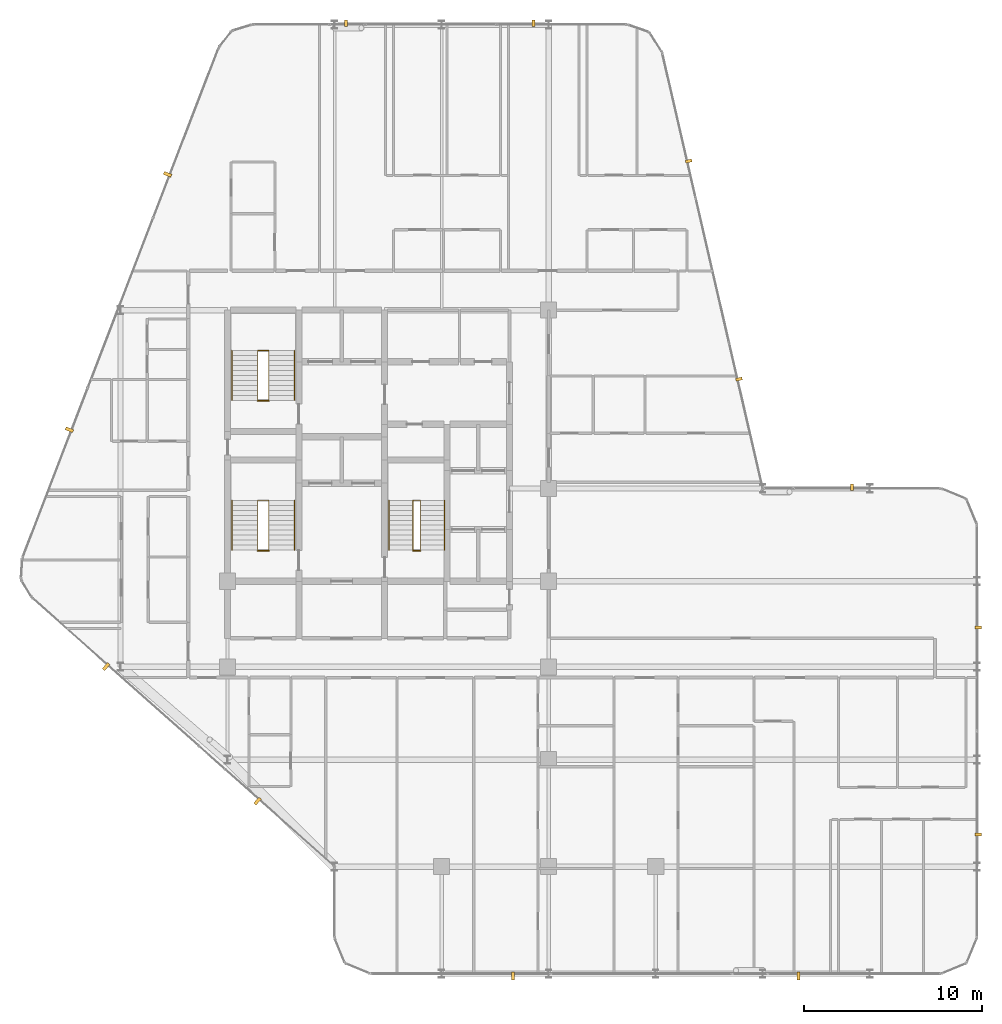
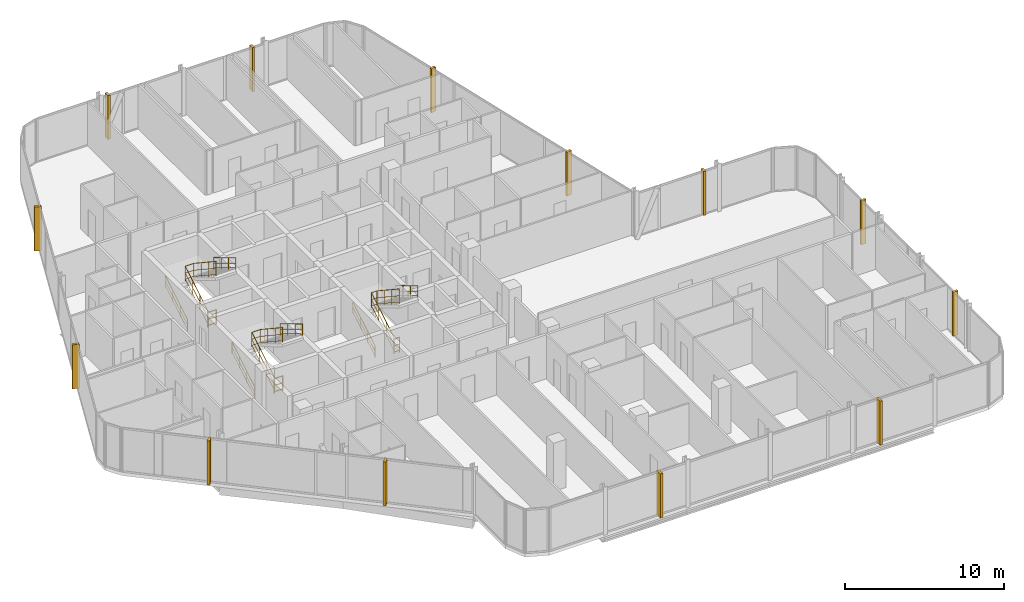
# One storey, part 29 of 29: 13 coverings, 12 railings.
"""IFC4 building model written with IfcOpenShell, lengths in metres."""

from ifc_helpers import new_model, si_unit, direction, frame, origin, origin_2d, place, context, subcontext, project, spatial, rectangle, circle, extrude, material, layer, layer_set, type_object, element, save


model = new_model("IFC4")

# Units and contexts
model_context = context("Model", 3, precision=1e-05, world=origin(), true_north=direction((0.0, 1.0)))
body_context = subcontext(model_context, "Body", "Model", "MODEL_VIEW")
ifc_project = project(units=[si_unit("LENGTHUNIT", "METRE"), si_unit("AREAUNIT", "SQUARE_METRE"), si_unit("VOLUMEUNIT", "CUBIC_METRE"), si_unit("PLANEANGLEUNIT", "RADIAN"), si_unit("MASSUNIT", "GRAM", prefix="KILO")], contexts=[model_context])

# Site, building, storey
site_placement = place(None, origin())
site = spatial("IfcSite", under=ifc_project, at=site_placement, CompositionType="ELEMENT")
building_placement = place(site_placement, origin())
building = spatial("IfcBuilding", under=site, at=building_placement, Name="Keshet Zoharim Tower", CompositionType="ELEMENT")
storey_placement = place(building_placement, frame((0.0, 0.0, 195.800048828125)))
storey = spatial("IfcBuildingStorey", under=building, at=storey_placement, Name="L48", CompositionType="ELEMENT", Elevation=195.800048828125)

# Coverings
ifc_material_1 = material(Name="Concrete C50/60 precast", Category="concrete")
covering_type_1 = type_object("IfcCoveringType", Name="FIN-SOL-360", PredefinedType="CLADDING", material=ifc_material_1)
for number, where, z_axis, x_axis, name in (
    (1, (57.080078125, 20.10009765625, 0.0), (0.0, 0.0, 1.0), (0.0, -1.0, 0.0), "L48 Vertical Precast Solar Fin 01"),
    (2, (57.080078125, 8.5, 0.0), (0.0, 0.0, 1.0), (0.0, -1.0, 0.0), "L48 Vertical Precast Solar Fin 02"),
    (3, (21.633056640625, 53.97998046875, 0.0), (0.0, 0.0, 1.0), (1.0, 0.0, 0.0), "L48 Vertical Precast Solar Fin 09"),
    (4, (32.14990234375, 53.97998046875, 0.0), (0.0, 0.0, 1.0), (1.0, 0.0, 0.0), "L48 Vertical Precast Solar Fin 10"),
    (5, (40.845947265625, 46.2548828125, 0.0), (0.0, 0.0, 1.0), (0.224847864369, -0.974393882313, 0.0), "L48 Vertical Precast Solar Fin 11"),
    (6, (43.6669921875, 34.030029296875, 0.0), (0.0, 0.0, 1.0), (0.224847864369, -0.974393882313, 0.0), "L48 Vertical Precast Solar Fin 12"),
    (7, (50.0, 27.97998046875, 0.0), (0.0, 0.0, 1.0), (1.0, 0.0, 0.0), "L48 Vertical Precast Solar Fin 13"),
):
    element("IfcCovering", number, at=place(storey_placement, frame(where, z_axis=z_axis, x_axis=x_axis)), inside=storey, type_object=covering_type_1, Name=name, PredefinedType="CLADDING", context=body_context, shape_type="SweptSolid", body=[
        extrude(rectangle(XDim=0.159912109375, YDim=0.360107421875, at=origin_2d()), origin(), (0.0, 0.0, 1.0), 3.389892578125),
    ])
covering_type_2 = type_object("IfcCoveringType", Name="FIN-SOL-450", PredefinedType="CLADDING", material=ifc_material_1)
for number, where, z_axis, x_axis, name in (
    (8, (47.0, 0.574951171875, 0.0), (0.0, 0.0, 1.0), (-1.0, 0.0, 0.0), "L48 Vertical Precast Solar Fin 03"),
    (9, (31.0, 0.574951171875, 0.0), (0.0, 0.0, 1.0), (-1.0, 0.0, 0.0), "L48 Vertical Precast Solar Fin 04"),
    (10, (16.676025390625, 10.376953125, 0.0), (0.0, 0.0, 1.0), (-0.747409318679, 0.664363838836, 0.0), "L48 Vertical Precast Solar Fin 05"),
    (11, (8.193115234375, 17.9169921875, 0.0), (0.0, 0.0, 1.0), (-0.747409318679, 0.664363838836, 0.0), "L48 Vertical Precast Solar Fin 06"),
    (12, (6.133056640625, 31.194091796875, 0.0), (0.0, 0.0, 1.0), (0.358990003907, 0.933341404361, 0.0), "L48 Vertical Precast Solar Fin 07"),
    (13, (11.637939453125, 45.507080078125, 0.0), (0.0, 0.0, 1.0), (0.358990003907, 0.933341404361, 0.0), "L48 Vertical Precast Solar Fin 08"),
):
    element("IfcCovering", number, at=place(storey_placement, frame(where, z_axis=z_axis, x_axis=x_axis)), inside=storey, type_object=covering_type_2, Name=name, PredefinedType="CLADDING", context=body_context, shape_type="SweptSolid", body=[
        extrude(rectangle(XDim=0.179931640625, YDim=0.449951171875, at=origin_2d()), origin(), (0.0, 0.0, 1.0), 3.389892578125),
    ])

# Railings
ifc_material_2 = material(Name="Steel S355", Category="steel")
ifc_layer_1 = layer(ifc_material_2, 0.050048828125)
ifc_layer_set_1 = layer_set([ifc_layer_1], Name="Steel S355")
railing_type_1 = type_object("IfcRailingType", Name="RL-HND-092", PredefinedType="HANDRAIL", material=ifc_layer_set_1)
railing_1_placement = place(storey_placement, frame((15.239990234375, 24.43994140625, 0.168212890625)))
element("IfcRailing", 14, at=railing_1_placement, inside=storey, type_object=railing_type_1, Name="L48 ST-01 Flight 1 Wall Handrail", PredefinedType="HANDRAIL", context=body_context, shape_type="SweptSolid", body=[
    extrude(circle(Radius=0.02392578125, at=origin_2d()), frame((0.0, 0.0, 0.89599609375), z_axis=(0.0, 0.857275202839, 0.514858452973), x_axis=(-1.0, 0.0, 0.0)), (0.0, 0.0, 1.0), 3.26611328125),
    extrude(circle(Radius=0.01611328125, at=origin_2d()), frame((0.0, 0.0, 0.478271484375), z_axis=(0.0, 0.857275202839, 0.514858452973), x_axis=(-1.0, 0.0, 0.0)), (0.0, 0.0, 1.0), 3.26611328125),
    extrude(circle(Radius=0.01611328125, at=origin_2d()), frame((0.0, 0.0, 0.1201171875), z_axis=(0.0, 0.857275202839, 0.514858452973), x_axis=(-1.0, 0.0, 0.0)), (0.0, 0.0, 1.0), 3.26611328125),
    extrude(circle(Radius=0.02099609375, at=origin_2d()), origin(), (0.0, 0.0, 1.0), 0.871826171875),
    extrude(circle(Radius=0.02099609375, at=origin_2d()), frame((0.0, 0.933349609375, 0.560546875)), (0.0, 0.0, 1.0), 0.871826171875),
    extrude(circle(Radius=0.02099609375, at=origin_2d()), frame((0.0, 1.86669921875, 1.12109375)), (0.0, 0.0, 1.0), 0.871826171875),
    extrude(circle(Radius=0.02099609375, at=origin_2d()), frame((0.0, 2.800048828125, 1.681640625)), (0.0, 0.0, 1.0), 0.871826171875),
])
railing_2_placement = place(storey_placement, frame((18.760009765625, 27.239990234375, 2.01806640625)))
element("IfcRailing", 15, at=railing_2_placement, inside=storey, type_object=railing_type_1, Name="L48 ST-01 Flight 2 Wall Handrail", PredefinedType="HANDRAIL", context=body_context, shape_type="SweptSolid", body=[
    extrude(circle(Radius=0.02392578125, at=origin_2d()), frame((0.0, 0.0, 0.89599609375), z_axis=(0.0, -0.857242210791, 0.514913383045), x_axis=(1.0, 0.0, 0.0)), (0.0, 0.0, 1.0), 3.266357421875),
    extrude(circle(Radius=0.01611328125, at=origin_2d()), frame((0.0, 0.0, 0.478271484375), z_axis=(0.0, -0.857242210791, 0.514913383045), x_axis=(1.0, 0.0, 0.0)), (0.0, 0.0, 1.0), 3.266357421875),
    extrude(circle(Radius=0.01611328125, at=origin_2d()), frame((0.0, 0.0, 0.1201171875), z_axis=(0.0, -0.857242210791, 0.514913383045), x_axis=(1.0, 0.0, 0.0)), (0.0, 0.0, 1.0), 3.266357421875),
    extrude(circle(Radius=0.02099609375, at=origin_2d()), origin(), (0.0, 0.0, 1.0), 0.871826171875),
    extrude(circle(Radius=0.02099609375, at=origin_2d()), frame((0.0, -0.933349609375, 0.560546875)), (0.0, 0.0, 1.0), 0.871826171875),
    extrude(circle(Radius=0.02099609375, at=origin_2d()), frame((0.0, -1.86669921875, 1.121337890625)), (0.0, 0.0, 1.0), 0.871826171875),
    extrude(circle(Radius=0.02099609375, at=origin_2d()), frame((0.0, -2.800048828125, 1.681884765625)), (0.0, 0.0, 1.0), 0.871826171875),
])
railing_3_placement = place(storey_placement, frame((15.239990234375, 32.840087890625, 0.168212890625)))
element("IfcRailing", 16, at=railing_3_placement, inside=storey, type_object=railing_type_1, Name="L48 ST-02 Flight 1 Wall Handrail", PredefinedType="HANDRAIL", context=body_context, shape_type="SweptSolid", body=[
    extrude(circle(Radius=0.02392578125, at=origin_2d()), frame((0.0, 0.0, 0.89599609375), z_axis=(0.0, 0.857255387014, 0.514891446264), x_axis=(-1.0, 0.0, 0.0)), (0.0, 0.0, 1.0), 3.26611328125),
    extrude(circle(Radius=0.01611328125, at=origin_2d()), frame((0.0, 0.0, 0.478271484375), z_axis=(0.0, 0.857255387014, 0.514891446264), x_axis=(-1.0, 0.0, 0.0)), (0.0, 0.0, 1.0), 3.26611328125),
    extrude(circle(Radius=0.01611328125, at=origin_2d()), frame((0.0, 0.0, 0.1201171875), z_axis=(0.0, 0.857255387014, 0.514891446264), x_axis=(-1.0, 0.0, 0.0)), (0.0, 0.0, 1.0), 3.26611328125),
    extrude(circle(Radius=0.02099609375, at=origin_2d()), origin(), (0.0, 0.0, 1.0), 0.871826171875),
    extrude(circle(Radius=0.02099609375, at=origin_2d()), frame((0.0, 0.933349609375, 0.560546875)), (0.0, 0.0, 1.0), 0.871826171875),
    extrude(circle(Radius=0.02099609375, at=origin_2d()), frame((0.0, 1.866455078125, 1.12109375)), (0.0, 0.0, 1.0), 0.871826171875),
    extrude(circle(Radius=0.02099609375, at=origin_2d()), frame((0.0, 2.7998046875, 1.681640625)), (0.0, 0.0, 1.0), 0.871826171875),
])
railing_4_placement = place(storey_placement, frame((18.760009765625, 35.639892578125, 2.01806640625)))
element("IfcRailing", 17, at=railing_4_placement, inside=storey, type_object=railing_type_1, Name="L48 ST-02 Flight 2 Wall Handrail", PredefinedType="HANDRAIL", context=body_context, shape_type="SweptSolid", body=[
    extrude(circle(Radius=0.02392578125, at=origin_2d()), frame((0.0, 0.0, 0.89599609375), z_axis=(0.0, -0.857222391501, 0.514946377315), x_axis=(1.0, 0.0, 0.0)), (0.0, 0.0, 1.0), 3.26611328125),
    extrude(circle(Radius=0.01611328125, at=origin_2d()), frame((0.0, 0.0, 0.478271484375), z_axis=(0.0, -0.857222391501, 0.514946377315), x_axis=(1.0, 0.0, 0.0)), (0.0, 0.0, 1.0), 3.26611328125),
    extrude(circle(Radius=0.01611328125, at=origin_2d()), frame((0.0, 0.0, 0.1201171875), z_axis=(0.0, -0.857222391501, 0.514946377315), x_axis=(1.0, 0.0, 0.0)), (0.0, 0.0, 1.0), 3.26611328125),
    extrude(circle(Radius=0.02099609375, at=origin_2d()), origin(), (0.0, 0.0, 1.0), 0.871826171875),
    extrude(circle(Radius=0.02099609375, at=origin_2d()), frame((0.0, -0.933349609375, 0.560546875)), (0.0, 0.0, 1.0), 0.871826171875),
    extrude(circle(Radius=0.02099609375, at=origin_2d()), frame((0.0, -1.866455078125, 1.121337890625)), (0.0, 0.0, 1.0), 0.871826171875),
    extrude(circle(Radius=0.02099609375, at=origin_2d()), frame((0.0, -2.7998046875, 1.681884765625)), (0.0, 0.0, 1.0), 0.871826171875),
])
railing_5_placement = place(storey_placement, frame((24.0400390625, 24.43994140625, 0.168212890625)))
element("IfcRailing", 18, at=railing_5_placement, inside=storey, type_object=railing_type_1, Name="L48 ST-03 Flight 1 Wall Handrail", PredefinedType="HANDRAIL", context=body_context, shape_type="SweptSolid", body=[
    extrude(circle(Radius=0.02392578125, at=origin_2d()), frame((0.0, 0.0, 0.89599609375), z_axis=(0.0, 0.857275202839, 0.514858452973), x_axis=(-1.0, 0.0, 0.0)), (0.0, 0.0, 1.0), 3.26611328125),
    extrude(circle(Radius=0.01611328125, at=origin_2d()), frame((0.0, 0.0, 0.478271484375), z_axis=(0.0, 0.857275202839, 0.514858452973), x_axis=(-1.0, 0.0, 0.0)), (0.0, 0.0, 1.0), 3.26611328125),
    extrude(circle(Radius=0.01611328125, at=origin_2d()), frame((0.0, 0.0, 0.1201171875), z_axis=(0.0, 0.857275202839, 0.514858452973), x_axis=(-1.0, 0.0, 0.0)), (0.0, 0.0, 1.0), 3.26611328125),
    extrude(circle(Radius=0.02099609375, at=origin_2d()), origin(), (0.0, 0.0, 1.0), 0.871826171875),
    extrude(circle(Radius=0.02099609375, at=origin_2d()), frame((0.0, 0.933349609375, 0.560546875)), (0.0, 0.0, 1.0), 0.871826171875),
    extrude(circle(Radius=0.02099609375, at=origin_2d()), frame((0.0, 1.86669921875, 1.12109375)), (0.0, 0.0, 1.0), 0.871826171875),
    extrude(circle(Radius=0.02099609375, at=origin_2d()), frame((0.0, 2.800048828125, 1.681640625)), (0.0, 0.0, 1.0), 0.871826171875),
])
railing_6_placement = place(storey_placement, frame((27.159912109375, 27.239990234375, 2.01806640625)))
element("IfcRailing", 19, at=railing_6_placement, inside=storey, type_object=railing_type_1, Name="L48 ST-03 Flight 2 Wall Handrail", PredefinedType="HANDRAIL", context=body_context, shape_type="SweptSolid", body=[
    extrude(circle(Radius=0.02392578125, at=origin_2d()), frame((0.0, 0.0, 0.89599609375), z_axis=(0.0, -0.857242210791, 0.514913383045), x_axis=(1.0, 0.0, 0.0)), (0.0, 0.0, 1.0), 3.266357421875),
    extrude(circle(Radius=0.01611328125, at=origin_2d()), frame((0.0, 0.0, 0.478271484375), z_axis=(0.0, -0.857242210791, 0.514913383045), x_axis=(1.0, 0.0, 0.0)), (0.0, 0.0, 1.0), 3.266357421875),
    extrude(circle(Radius=0.01611328125, at=origin_2d()), frame((0.0, 0.0, 0.1201171875), z_axis=(0.0, -0.857242210791, 0.514913383045), x_axis=(1.0, 0.0, 0.0)), (0.0, 0.0, 1.0), 3.266357421875),
    extrude(circle(Radius=0.02099609375, at=origin_2d()), origin(), (0.0, 0.0, 1.0), 0.871826171875),
    extrude(circle(Radius=0.02099609375, at=origin_2d()), frame((0.0, -0.933349609375, 0.560546875)), (0.0, 0.0, 1.0), 0.871826171875),
    extrude(circle(Radius=0.02099609375, at=origin_2d()), frame((0.0, -1.86669921875, 1.121337890625)), (0.0, 0.0, 1.0), 0.871826171875),
    extrude(circle(Radius=0.02099609375, at=origin_2d()), frame((0.0, -2.800048828125, 1.681884765625)), (0.0, 0.0, 1.0), 0.871826171875),
])
ifc_layer_2 = layer(ifc_material_2, 0.06005859375)
ifc_layer_set_2 = layer_set([ifc_layer_2], Name="Steel S355")
railing_type_2 = type_object("IfcRailingType", Name="RL-STG-115", PredefinedType="GUARDRAIL", material=ifc_layer_set_2)
railing_7_placement = place(storey_placement, frame((16.68994140625, 24.43994140625, 0.168212890625)))
element("IfcRailing", 20, at=railing_7_placement, inside=storey, type_object=railing_type_2, Name="L48 ST-01 Inner Well Guardrail", PredefinedType="GUARDRAIL", context=body_context, shape_type="SweptSolid", body=[
    extrude(circle(Radius=0.02392578125, at=origin_2d()), frame((0.0, 0.0, 1.1259765625), z_axis=(0.0, 0.857275202839, 0.514858452973), x_axis=(-1.0, 0.0, 0.0)), (0.0, 0.0, 1.0), 3.26611328125),
    extrude(circle(Radius=0.01611328125, at=origin_2d()), frame((0.0, 0.0, 0.597900390625), z_axis=(0.0, 0.857275202839, 0.514858452973), x_axis=(-1.0, 0.0, 0.0)), (0.0, 0.0, 1.0), 3.26611328125),
    extrude(circle(Radius=0.01611328125, at=origin_2d()), frame((0.0, 0.0, 0.1201171875), z_axis=(0.0, 0.857275202839, 0.514858452973), x_axis=(-1.0, 0.0, 0.0)), (0.0, 0.0, 1.0), 3.26611328125),
    extrude(circle(Radius=0.02392578125, at=origin_2d()), frame((0.0, 2.800048828125, 2.8076171875), z_axis=(1.0, 0.0, 0.0), x_axis=(0.0, 1.0, 0.0)), (0.0, 0.0, 1.0), 0.6201171875),
    extrude(circle(Radius=0.01611328125, at=origin_2d()), frame((0.0, 2.800048828125, 2.279541015625), z_axis=(1.0, 0.0, 0.0), x_axis=(0.0, 1.0, 0.0)), (0.0, 0.0, 1.0), 0.6201171875),
    extrude(circle(Radius=0.01611328125, at=origin_2d()), frame((0.0, 2.800048828125, 1.8017578125), z_axis=(1.0, 0.0, 0.0), x_axis=(0.0, 1.0, 0.0)), (0.0, 0.0, 1.0), 0.6201171875),
    extrude(circle(Radius=0.02392578125, at=origin_2d()), frame((0.6201171875, 2.800048828125, 2.8076171875), z_axis=(0.0, -0.834326358476, 0.551270829586), x_axis=(1.0, 0.0, 0.0)), (0.0, 0.0, 1.0), 3.35595703125),
    extrude(circle(Radius=0.01611328125, at=origin_2d()), frame((0.6201171875, 2.800048828125, 2.279541015625), z_axis=(0.0, -0.834326358476, 0.551270829586), x_axis=(1.0, 0.0, 0.0)), (0.0, 0.0, 1.0), 3.35595703125),
    extrude(circle(Radius=0.01611328125, at=origin_2d()), frame((0.6201171875, 2.800048828125, 1.8017578125), z_axis=(0.0, -0.834326358476, 0.551270829586), x_axis=(1.0, 0.0, 0.0)), (0.0, 0.0, 1.0), 3.35595703125),
    extrude(circle(Radius=0.02099609375, at=origin_2d()), origin(), (0.0, 0.0, 1.0), 1.101806640625),
    extrude(circle(Radius=0.02099609375, at=origin_2d()), frame((0.0, 0.933349609375, 0.560546875)), (0.0, 0.0, 1.0), 1.101806640625),
    extrude(circle(Radius=0.02099609375, at=origin_2d()), frame((0.0, 1.86669921875, 1.12109375)), (0.0, 0.0, 1.0), 1.101806640625),
    extrude(circle(Radius=0.02099609375, at=origin_2d()), frame((0.0, 2.800048828125, 1.681640625)), (0.0, 0.0, 1.0), 1.101806640625),
    extrude(circle(Radius=0.02099609375, at=origin_2d()), frame((0.6201171875, 2.800048828125, 1.681640625)), (0.0, 0.0, 1.0), 1.101806640625),
    extrude(circle(Radius=0.02099609375, at=origin_2d()), frame((0.6201171875, 1.86669921875, 2.29833984375)), (0.0, 0.0, 1.0), 1.101806640625),
    extrude(circle(Radius=0.02099609375, at=origin_2d()), frame((0.6201171875, 0.933349609375, 2.9150390625)), (0.0, 0.0, 1.0), 1.101806640625),
    extrude(circle(Radius=0.02099609375, at=origin_2d()), frame((0.6201171875, 0.0, 3.53173828125)), (0.0, 0.0, 1.0), 1.101806640625),
])
railing_8_placement = place(storey_placement, frame((16.68994140625, 24.409912109375, 0.0)))
element("IfcRailing", 21, at=railing_8_placement, inside=storey, type_object=railing_type_2, Name="L48 ST-01 Stairwell Floor Guardrail", PredefinedType="GUARDRAIL", context=body_context, shape_type="SweptSolid", body=[
    extrude(circle(Radius=0.02392578125, at=origin_2d()), frame((0.0, 0.0, 1.1259765625), z_axis=(1.0, 0.0, 0.0), x_axis=(0.0, 1.0, 0.0)), (0.0, 0.0, 1.0), 0.6201171875),
    extrude(circle(Radius=0.01611328125, at=origin_2d()), frame((0.0, 0.0, 0.597900390625), z_axis=(1.0, 0.0, 0.0), x_axis=(0.0, 1.0, 0.0)), (0.0, 0.0, 1.0), 0.6201171875),
    extrude(circle(Radius=0.01611328125, at=origin_2d()), frame((0.0, 0.0, 0.1201171875), z_axis=(1.0, 0.0, 0.0), x_axis=(0.0, 1.0, 0.0)), (0.0, 0.0, 1.0), 0.6201171875),
    extrude(circle(Radius=0.02099609375, at=origin_2d()), origin(), (0.0, 0.0, 1.0), 1.101806640625),
    extrude(circle(Radius=0.02099609375, at=origin_2d()), frame((0.6201171875, 0.0, 0.0)), (0.0, 0.0, 1.0), 1.101806640625),
])
railing_9_placement = place(storey_placement, frame((16.68994140625, 32.840087890625, 0.168212890625)))
element("IfcRailing", 22, at=railing_9_placement, inside=storey, type_object=railing_type_2, Name="L48 ST-02 Inner Well Guardrail", PredefinedType="GUARDRAIL", context=body_context, shape_type="SweptSolid", body=[
    extrude(circle(Radius=0.02392578125, at=origin_2d()), frame((0.0, 0.0, 1.1259765625), z_axis=(0.0, 0.857255387014, 0.514891446264), x_axis=(-1.0, 0.0, 0.0)), (0.0, 0.0, 1.0), 3.26611328125),
    extrude(circle(Radius=0.01611328125, at=origin_2d()), frame((0.0, 0.0, 0.597900390625), z_axis=(0.0, 0.857255387014, 0.514891446264), x_axis=(-1.0, 0.0, 0.0)), (0.0, 0.0, 1.0), 3.26611328125),
    extrude(circle(Radius=0.01611328125, at=origin_2d()), frame((0.0, 0.0, 0.1201171875), z_axis=(0.0, 0.857255387014, 0.514891446264), x_axis=(-1.0, 0.0, 0.0)), (0.0, 0.0, 1.0), 3.26611328125),
    extrude(circle(Radius=0.02392578125, at=origin_2d()), frame((0.0, 2.7998046875, 2.8076171875), z_axis=(1.0, 0.0, 0.0), x_axis=(0.0, 1.0, 0.0)), (0.0, 0.0, 1.0), 0.6201171875),
    extrude(circle(Radius=0.01611328125, at=origin_2d()), frame((0.0, 2.7998046875, 2.279541015625), z_axis=(1.0, 0.0, 0.0), x_axis=(0.0, 1.0, 0.0)), (0.0, 0.0, 1.0), 0.6201171875),
    extrude(circle(Radius=0.01611328125, at=origin_2d()), frame((0.0, 2.7998046875, 1.8017578125), z_axis=(1.0, 0.0, 0.0), x_axis=(0.0, 1.0, 0.0)), (0.0, 0.0, 1.0), 0.6201171875),
    extrude(circle(Radius=0.02392578125, at=origin_2d()), frame((0.6201171875, 2.7998046875, 2.8076171875), z_axis=(0.0, -0.834304248922, 0.551304290053), x_axis=(1.0, 0.0, 0.0)), (0.0, 0.0, 1.0), 3.35595703125),
    extrude(circle(Radius=0.01611328125, at=origin_2d()), frame((0.6201171875, 2.7998046875, 2.279541015625), z_axis=(0.0, -0.834304248922, 0.551304290053), x_axis=(1.0, 0.0, 0.0)), (0.0, 0.0, 1.0), 3.35595703125),
    extrude(circle(Radius=0.01611328125, at=origin_2d()), frame((0.6201171875, 2.7998046875, 1.8017578125), z_axis=(0.0, -0.834304248922, 0.551304290053), x_axis=(1.0, 0.0, 0.0)), (0.0, 0.0, 1.0), 3.35595703125),
    extrude(circle(Radius=0.02099609375, at=origin_2d()), origin(), (0.0, 0.0, 1.0), 1.101806640625),
    extrude(circle(Radius=0.02099609375, at=origin_2d()), frame((0.0, 0.933349609375, 0.560546875)), (0.0, 0.0, 1.0), 1.101806640625),
    extrude(circle(Radius=0.02099609375, at=origin_2d()), frame((0.0, 1.866455078125, 1.12109375)), (0.0, 0.0, 1.0), 1.101806640625),
    extrude(circle(Radius=0.02099609375, at=origin_2d()), frame((0.0, 2.7998046875, 1.681640625)), (0.0, 0.0, 1.0), 1.101806640625),
    extrude(circle(Radius=0.02099609375, at=origin_2d()), frame((0.6201171875, 2.7998046875, 1.681640625)), (0.0, 0.0, 1.0), 1.101806640625),
    extrude(circle(Radius=0.02099609375, at=origin_2d()), frame((0.6201171875, 1.866455078125, 2.29833984375)), (0.0, 0.0, 1.0), 1.101806640625),
    extrude(circle(Radius=0.02099609375, at=origin_2d()), frame((0.6201171875, 0.933349609375, 2.9150390625)), (0.0, 0.0, 1.0), 1.101806640625),
    extrude(circle(Radius=0.02099609375, at=origin_2d()), frame((0.6201171875, 0.0, 3.53173828125)), (0.0, 0.0, 1.0), 1.101806640625),
])
railing_10_placement = place(storey_placement, frame((16.68994140625, 32.81005859375, 0.0)))
element("IfcRailing", 23, at=railing_10_placement, inside=storey, type_object=railing_type_2, Name="L48 ST-02 Stairwell Floor Guardrail", PredefinedType="GUARDRAIL", context=body_context, shape_type="SweptSolid", body=[
    extrude(circle(Radius=0.02392578125, at=origin_2d()), frame((0.0, 0.0, 1.1259765625), z_axis=(1.0, 0.0, 0.0), x_axis=(0.0, 1.0, 0.0)), (0.0, 0.0, 1.0), 0.6201171875),
    extrude(circle(Radius=0.01611328125, at=origin_2d()), frame((0.0, 0.0, 0.597900390625), z_axis=(1.0, 0.0, 0.0), x_axis=(0.0, 1.0, 0.0)), (0.0, 0.0, 1.0), 0.6201171875),
    extrude(circle(Radius=0.01611328125, at=origin_2d()), frame((0.0, 0.0, 0.1201171875), z_axis=(1.0, 0.0, 0.0), x_axis=(0.0, 1.0, 0.0)), (0.0, 0.0, 1.0), 0.6201171875),
    extrude(circle(Radius=0.02099609375, at=origin_2d()), origin(), (0.0, 0.0, 1.0), 1.101806640625),
    extrude(circle(Radius=0.02099609375, at=origin_2d()), frame((0.6201171875, 0.0, 0.0)), (0.0, 0.0, 1.0), 1.101806640625),
])
railing_11_placement = place(storey_placement, frame((25.39990234375, 24.43994140625, 0.168212890625)))
element("IfcRailing", 24, at=railing_11_placement, inside=storey, type_object=railing_type_2, Name="L48 ST-03 Inner Well Guardrail", PredefinedType="GUARDRAIL", context=body_context, shape_type="SweptSolid", body=[
    extrude(circle(Radius=0.02392578125, at=origin_2d()), frame((0.0, 0.0, 1.1259765625), z_axis=(0.0, 0.857275202839, 0.514858452973), x_axis=(-1.0, 0.0, 0.0)), (0.0, 0.0, 1.0), 3.26611328125),
    extrude(circle(Radius=0.01611328125, at=origin_2d()), frame((0.0, 0.0, 0.597900390625), z_axis=(0.0, 0.857275202839, 0.514858452973), x_axis=(-1.0, 0.0, 0.0)), (0.0, 0.0, 1.0), 3.26611328125),
    extrude(circle(Radius=0.01611328125, at=origin_2d()), frame((0.0, 0.0, 0.1201171875), z_axis=(0.0, 0.857275202839, 0.514858452973), x_axis=(-1.0, 0.0, 0.0)), (0.0, 0.0, 1.0), 3.26611328125),
    extrude(circle(Radius=0.02392578125, at=origin_2d()), frame((0.0, 2.800048828125, 2.8076171875), z_axis=(1.0, 0.0, 0.0), x_axis=(0.0, 1.0, 0.0)), (0.0, 0.0, 1.0), 0.400146484375),
    extrude(circle(Radius=0.01611328125, at=origin_2d()), frame((0.0, 2.800048828125, 2.279541015625), z_axis=(1.0, 0.0, 0.0), x_axis=(0.0, 1.0, 0.0)), (0.0, 0.0, 1.0), 0.400146484375),
    extrude(circle(Radius=0.01611328125, at=origin_2d()), frame((0.0, 2.800048828125, 1.8017578125), z_axis=(1.0, 0.0, 0.0), x_axis=(0.0, 1.0, 0.0)), (0.0, 0.0, 1.0), 0.400146484375),
    extrude(circle(Radius=0.02392578125, at=origin_2d()), frame((0.400146484375, 2.800048828125, 2.8076171875), z_axis=(0.0, -0.834326358476, 0.551270829586), x_axis=(1.0, 0.0, 0.0)), (0.0, 0.0, 1.0), 3.35595703125),
    extrude(circle(Radius=0.01611328125, at=origin_2d()), frame((0.400146484375, 2.800048828125, 2.279541015625), z_axis=(0.0, -0.834326358476, 0.551270829586), x_axis=(1.0, 0.0, 0.0)), (0.0, 0.0, 1.0), 3.35595703125),
    extrude(circle(Radius=0.01611328125, at=origin_2d()), frame((0.400146484375, 2.800048828125, 1.8017578125), z_axis=(0.0, -0.834326358476, 0.551270829586), x_axis=(1.0, 0.0, 0.0)), (0.0, 0.0, 1.0), 3.35595703125),
    extrude(circle(Radius=0.02099609375, at=origin_2d()), origin(), (0.0, 0.0, 1.0), 1.101806640625),
    extrude(circle(Radius=0.02099609375, at=origin_2d()), frame((0.0, 0.933349609375, 0.560546875)), (0.0, 0.0, 1.0), 1.101806640625),
    extrude(circle(Radius=0.02099609375, at=origin_2d()), frame((0.0, 1.86669921875, 1.12109375)), (0.0, 0.0, 1.0), 1.101806640625),
    extrude(circle(Radius=0.02099609375, at=origin_2d()), frame((0.0, 2.800048828125, 1.681640625)), (0.0, 0.0, 1.0), 1.101806640625),
    extrude(circle(Radius=0.02099609375, at=origin_2d()), frame((0.400146484375, 2.800048828125, 1.681640625)), (0.0, 0.0, 1.0), 1.101806640625),
    extrude(circle(Radius=0.02099609375, at=origin_2d()), frame((0.400146484375, 1.86669921875, 2.29833984375)), (0.0, 0.0, 1.0), 1.101806640625),
    extrude(circle(Radius=0.02099609375, at=origin_2d()), frame((0.400146484375, 0.933349609375, 2.9150390625)), (0.0, 0.0, 1.0), 1.101806640625),
    extrude(circle(Radius=0.02099609375, at=origin_2d()), frame((0.400146484375, 0.0, 3.53173828125)), (0.0, 0.0, 1.0), 1.101806640625),
])
railing_12_placement = place(storey_placement, frame((25.39990234375, 24.409912109375, 0.0)))
element("IfcRailing", 25, at=railing_12_placement, inside=storey, type_object=railing_type_2, Name="L48 ST-03 Stairwell Floor Guardrail", PredefinedType="GUARDRAIL", context=body_context, shape_type="SweptSolid", body=[
    extrude(circle(Radius=0.02392578125, at=origin_2d()), frame((0.0, 0.0, 1.1259765625), z_axis=(1.0, 0.0, 0.0), x_axis=(0.0, 1.0, 0.0)), (0.0, 0.0, 1.0), 0.400146484375),
    extrude(circle(Radius=0.01611328125, at=origin_2d()), frame((0.0, 0.0, 0.597900390625), z_axis=(1.0, 0.0, 0.0), x_axis=(0.0, 1.0, 0.0)), (0.0, 0.0, 1.0), 0.400146484375),
    extrude(circle(Radius=0.01611328125, at=origin_2d()), frame((0.0, 0.0, 0.1201171875), z_axis=(1.0, 0.0, 0.0), x_axis=(0.0, 1.0, 0.0)), (0.0, 0.0, 1.0), 0.400146484375),
    extrude(circle(Radius=0.02099609375, at=origin_2d()), origin(), (0.0, 0.0, 1.0), 1.101806640625),
    extrude(circle(Radius=0.02099609375, at=origin_2d()), frame((0.400146484375, 0.0, 0.0)), (0.0, 0.0, 1.0), 1.101806640625),
])

save(model, "model.ifc")
